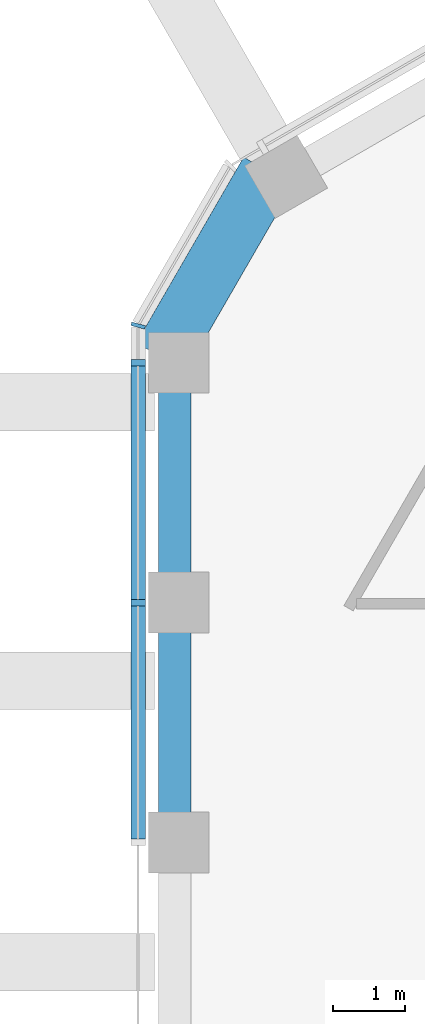
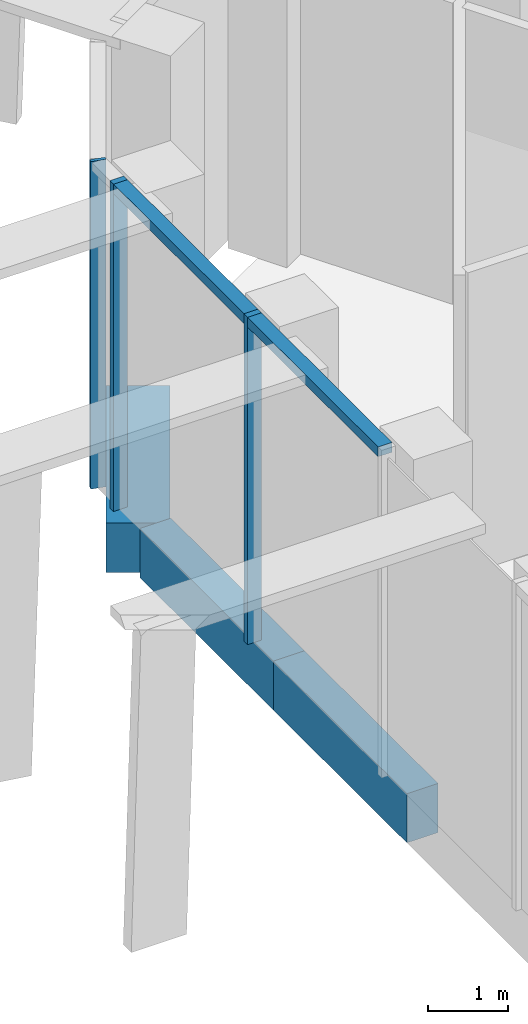
# One storey, part 3 of 17: 4 members, 3 beams, 2 elements without a shape of their own.
"""IFC4 building model written with IfcOpenShell, lengths in metres."""

from ifc_helpers import new_model, si_unit, direction, frame, origin, origin_2d, place, context, subcontext, project, spatial, rectangle, extrude, material, layer, layer_set, material_profile, profile_set, type_object, element, aggregate, save


model = new_model("IFC4")

# Units and contexts
model_context = context("Model", 3, precision=1e-05, world=origin(), true_north=direction((0.0, 1.0)))
body_context = subcontext(model_context, "Body", "Model", "MODEL_VIEW")
ifc_project = project(units=[si_unit("LENGTHUNIT", "METRE"), si_unit("AREAUNIT", "SQUARE_METRE"), si_unit("VOLUMEUNIT", "CUBIC_METRE"), si_unit("PLANEANGLEUNIT", "RADIAN"), si_unit("MASSUNIT", "GRAM", prefix="KILO")], contexts=[model_context])

# Site, building, storey
site_placement = place(None, origin())
site = spatial("IfcSite", under=ifc_project, at=site_placement, CompositionType="ELEMENT")
building_placement = place(site_placement, origin())
building = spatial("IfcBuilding", under=site, at=building_placement, Name="Ayvan Gate Tower", CompositionType="ELEMENT")
storey_placement = place(building_placement, frame((0.0, 0.0, 252.89990234375)))
storey = spatial("IfcBuildingStorey", under=building, at=storey_placement, Name="L68", CompositionType="ELEMENT", Elevation=252.89990234375)

# Beams
ifc_material_1 = material(Name="Concrete C40/50", Category="concrete")
ifc_material_profile_1 = material_profile(ifc_material_1, rectangle(XDim=0.800048828125, YDim=0.75, at=origin_2d()), Name="RC 800x750")
ifc_profile_set_1 = profile_set([ifc_material_profile_1], Name="Concrete C40/50")
beam_type_1 = type_object("IfcBeamType", Name="Corner spandrel beam RC 800x750 C40/50", PredefinedType="BEAM", material=ifc_profile_set_1)
beam_placement = place(storey_placement, frame((-14.998046875, 11.060791015625, -0.77490234375), z_axis=(-0.50002537861, -0.866010750942, 0.0), x_axis=(0.866010750942, -0.50002537861, 0.0)))
element("IfcBeam", 1, at=beam_placement, inside=storey, type_object=beam_type_1, Name="SB-L68-18", PredefinedType="BEAM", context=body_context, shape_type="SweptSolid", body=[
    extrude(rectangle(XDim=0.800048828125, YDim=0.75, at=origin_2d()), origin(), (0.0, 0.0, 1.0), 2.999755859375),
])
ifc_material_profile_2 = material_profile(ifc_material_1, rectangle(XDim=0.449951171875, YDim=0.75, at=origin_2d()), Name="RC 450x750")
ifc_profile_set_2 = profile_set([ifc_material_profile_2], Name="Concrete C40/50")
beam_type_2 = type_object("IfcBeamType", Name="Spandrel beam RC 450x750 C40/50", PredefinedType="BEAM", material=ifc_profile_set_2)
for number, where, z_axis, x_axis, name in (
    (2, (-16.3076171875, 8.352783203125, -0.77490234375), (0.0, -1.0, 0.0), (1.0, 0.0, 0.0), "SB-L68-19"),
    (3, (-16.3076171875, 5.01171875, -0.77490234375), (0.0, -1.0, 0.0), (1.0, 0.0, 0.0), "SB-L68-20"),
):
    element("IfcBeam", number, at=place(storey_placement, frame(where, z_axis=z_axis, x_axis=x_axis)), inside=storey, type_object=beam_type_2, Name=name, PredefinedType="BEAM", context=body_context, shape_type="SweptSolid", body=[
        extrude(rectangle(XDim=0.449951171875, YDim=0.75, at=origin_2d()), origin(), (0.0, 0.0, 1.0), 3.341064453125),
    ])

# Curtain wall, members
ifc_material_2 = material(Name="Bronze anodised aluminium", Category="aluminium")
ifc_layer_1 = layer(ifc_material_2, 0.199951171875)
ifc_layer_set_1 = layer_set([ifc_layer_1], Name="Bronze anodised aluminium")
curtain_wall_type_1 = type_object("IfcCurtainWallType", Name="Stick curtain wall CW-5", PredefinedType="NOTDEFINED", material=ifc_layer_set_1)
curtain_wall_1_placement = place(storey_placement, origin())
curtain_wall_1 = element("IfcCurtainWall", 4, at=curtain_wall_1_placement, inside=storey, type_object=curtain_wall_type_1, Name="Stick curtain wall CW-5 L68", PredefinedType="NOTDEFINED")
ifc_material_profile_3 = material_profile(ifc_material_2, rectangle(XDim=0.199951171875, YDim=0.090087890625, at=origin_2d()), Name="Stick curtain wall CW-5 mullion 200 x 90")
ifc_profile_set_3 = profile_set([ifc_material_profile_3], Name="Bronze anodised aluminium")
member_type_1 = type_object("IfcMemberType", Name="Stick curtain wall CW-5 mullion 200 x 90", PredefinedType="MULLION", material=ifc_profile_set_3)
member_1_placement = place(storey_placement, frame((-16.819091796875, 8.384765625, 0.0), z_axis=(0.0, 0.0, 1.0), x_axis=(-1.0, 0.0, 0.0)))
member_1 = element("IfcMember", 5, at=member_1_placement, type_object=member_type_1, Name="CW-5 mullion 1", PredefinedType="MULLION", context=body_context, shape_type="SweptSolid", body=[
    extrude(rectangle(XDim=0.199951171875, YDim=0.090087890625, at=origin_2d()), origin(), (0.0, 0.0, 1.0), 5.0),
])
member_2_placement = place(storey_placement, frame((-16.819091796875, 5.03173828125, 0.0), z_axis=(0.0, 0.0, 1.0), x_axis=(-1.0, 0.0, 0.0)))
member_2 = element("IfcMember", 6, at=member_2_placement, type_object=member_type_1, Name="CW-5 mullion 2", PredefinedType="MULLION", context=body_context, shape_type="SweptSolid", body=[
    extrude(rectangle(XDim=0.199951171875, YDim=0.090087890625, at=origin_2d()), origin(), (0.0, 0.0, 1.0), 5.0),
])
ifc_material_profile_4 = material_profile(ifc_material_2, rectangle(XDim=0.199951171875, YDim=0.14990234375, at=origin_2d()), Name="Stick curtain wall CW-5 transom 200 x 150")
ifc_profile_set_4 = profile_set([ifc_material_profile_4], Name="Bronze anodised aluminium")
member_type_2 = type_object("IfcMemberType", Name="Stick curtain wall CW-5 transom 200 x 150", PredefinedType="USERDEFINED", material=ifc_profile_set_4)
member_3_placement = place(storey_placement, frame((-16.819091796875, 8.384765625, 4.925048828125), z_axis=(0.0, -1.0, 0.0), x_axis=(1.0, 0.0, 0.0)))
member_3 = element("IfcMember", 7, at=member_3_placement, type_object=member_type_2, Name="CW-5 transom 1", ObjectType="TRANSOM", PredefinedType="USERDEFINED", context=body_context, shape_type="SweptSolid", body=[
    extrude(rectangle(XDim=0.199951171875, YDim=0.14990234375, at=origin_2d()), origin(), (0.0, 0.0, 1.0), 6.6630859375),
])
aggregate(curtain_wall_1, [member_1, member_2, member_3])

# Curtain wall, member
ifc_layer_2 = layer(ifc_material_2, 0.199951171875)
ifc_layer_set_2 = layer_set([ifc_layer_2], Name="Bronze anodised aluminium")
curtain_wall_type_2 = type_object("IfcCurtainWallType", Name="Stick curtain wall CW-6", PredefinedType="NOTDEFINED", material=ifc_layer_set_2)
curtain_wall_2_placement = place(storey_placement, origin())
curtain_wall_2 = element("IfcCurtainWall", 8, at=curtain_wall_2_placement, inside=storey, type_object=curtain_wall_type_2, Name="Stick curtain wall CW-6 L68", PredefinedType="NOTDEFINED")
ifc_material_profile_5 = material_profile(ifc_material_2, rectangle(XDim=0.199951171875, YDim=0.050048828125, at=origin_2d()), Name="Stick curtain wall CW-6 mullion 200 x 50")
ifc_profile_set_5 = profile_set([ifc_material_profile_5], Name="Bronze anodised aluminium")
member_type_3 = type_object("IfcMemberType", Name="Stick curtain wall CW-6 mullion 200 x 50", PredefinedType="MULLION", material=ifc_profile_set_5)
member_4_placement = place(storey_placement, frame((-16.819091796875, 8.90478515625, 0.0), z_axis=(0.0, 0.0, 1.0), x_axis=(-0.965925826289, 0.258819045103, 0.0)))
member_4 = element("IfcMember", 9, at=member_4_placement, type_object=member_type_3, Name="CW-6 mullion 3", PredefinedType="MULLION", context=body_context, shape_type="SweptSolid", body=[
    extrude(rectangle(XDim=0.199951171875, YDim=0.050048828125, at=origin_2d()), origin(), (0.0, 0.0, 1.0), 5.0),
])
aggregate(curtain_wall_2, [member_4])

save(model, "model.ifc")
